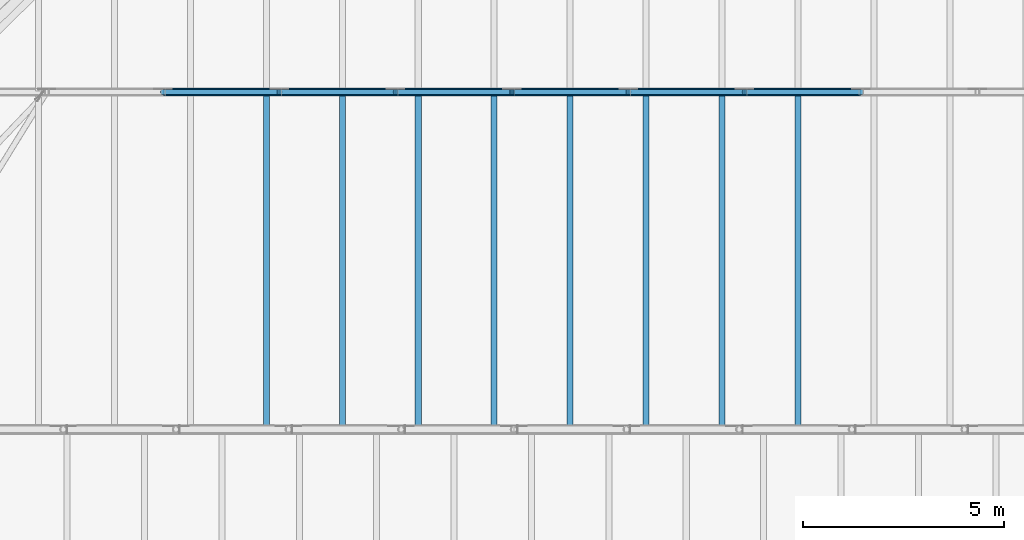
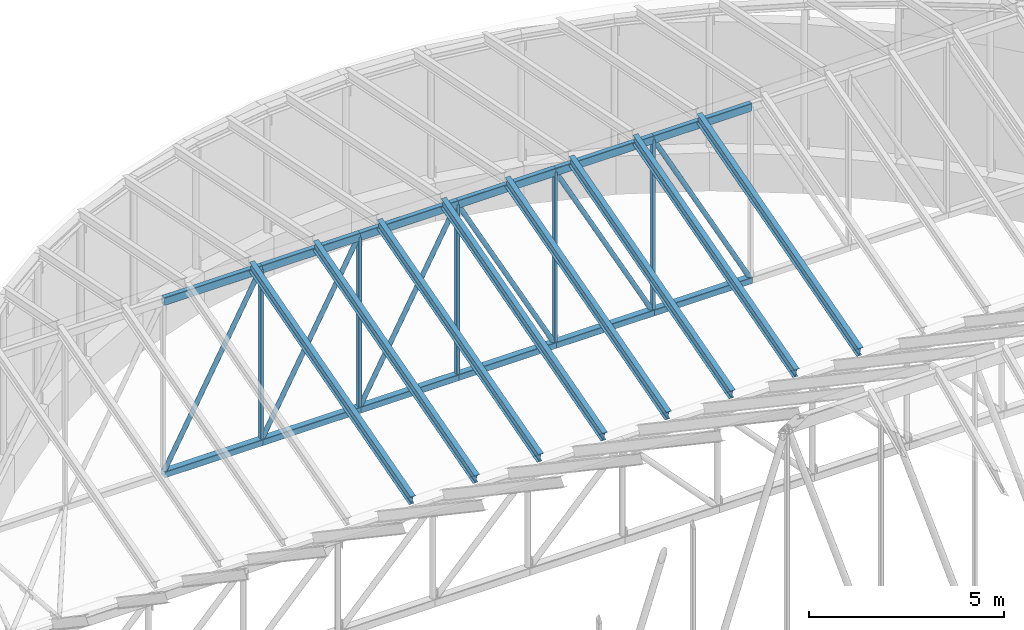
# One storey, part 31 of 68: 19 members, 12 beams.
"""IFC4 building model written with IfcOpenShell, lengths in metres."""

from ifc_helpers import new_model, si_unit, direction, frame, origin, origin_2d, place, context, subcontext, project, spatial, hollow_rectangle, hollow_circle, i_section, extrude, material, material_profile, profile_set, type_object, element, save


model = new_model("IFC4")

# Units and contexts
model_context = context("Model", 3, precision=1e-05, world=origin(), true_north=direction((0.0, 1.0)))
body_context = subcontext(model_context, "Body", "Model", "MODEL_VIEW")
ifc_project = project(units=[si_unit("LENGTHUNIT", "METRE"), si_unit("AREAUNIT", "SQUARE_METRE"), si_unit("VOLUMEUNIT", "CUBIC_METRE"), si_unit("PLANEANGLEUNIT", "RADIAN"), si_unit("MASSUNIT", "GRAM", prefix="KILO")], contexts=[model_context])

# Site, building, storey
site_placement = place(None, origin())
site = spatial("IfcSite", under=ifc_project, at=site_placement, CompositionType="ELEMENT")
building_placement = place(site_placement, origin())
building = spatial("IfcBuilding", under=site, at=building_placement, Name="Larchfold Concert Hall", CompositionType="ELEMENT")
storey_placement = place(building_placement, frame((0.0, 0.0, 28.800048828125)))
storey = spatial("IfcBuildingStorey", under=building, at=storey_placement, Name="L06", CompositionType="ELEMENT", Elevation=28.800048828125)

# Members
ifc_material_1 = material(Name="Steel S355", Category="steel")
ifc_material_profile_1 = material_profile(ifc_material_1, i_section(OverallWidth=0.14990234375, OverallDepth=0.300048828125, WebThickness=0.007080078125, FlangeThickness=0.0107421875, FilletRadius=0.014892578125, at=origin_2d()))
ifc_profile_set_1 = profile_set([ifc_material_profile_1], Name="Steel S355")
member_type_1 = type_object("IfcMemberType", Name="Rafter IPE 300", PredefinedType="RAFTER", material=ifc_profile_set_1)
for number, where, z_axis, x_axis, name in (
    (1, (35.03759765625, 102.080078125, 3.30224609375), (0.0, 0.962273331526, 0.272084610799), (-1.0, 0.0, 0.0), "Member RF0116"),
    (2, (36.92822265625, 102.080078125, 3.30224609375), (0.0, 0.962273331526, 0.272084610799), (-1.0, 0.0, 0.0), "Member RF0117"),
    (3, (38.81884765625, 102.080078125, 3.30224609375), (0.0, 0.962273331526, 0.272084610799), (-1.0, 0.0, 0.0), "Member RF0118"),
    (4, (40.70947265625, 102.080078125, 3.30224609375), (0.0, 0.962273331526, 0.272084610799), (-1.0, 0.0, 0.0), "Member RF0119"),
    (5, (42.60009765625, 102.080078125, 3.30224609375), (0.0, 0.962273331526, 0.272084610799), (-1.0, 0.0, 0.0), "Member RF0120"),
    (6, (44.49072265625, 102.080078125, 3.30224609375), (0.0, 0.962273331526, 0.272084610799), (-1.0, 0.0, 0.0), "Member RF0121"),
    (7, (46.38134765625, 102.080078125, 3.30224609375), (0.0, 0.962273331526, 0.272084610799), (-1.0, 0.0, 0.0), "Member RF0122"),
    (8, (48.27197265625, 102.080078125, 3.30224609375), (0.0, 0.962273331526, 0.272084610799), (-1.0, 0.0, 0.0), "Member RF0123"),
):
    element("IfcMember", number, at=place(storey_placement, frame(where, z_axis=z_axis, x_axis=x_axis)), inside=storey, type_object=member_type_1, Name=name, PredefinedType="RAFTER", context=body_context, shape_type="SweptSolid", body=[
        extrude(i_section(OverallWidth=0.14990234375, OverallDepth=0.300048828125, WebThickness=0.007080078125, FlangeThickness=0.0107421875, FilletRadius=0.014892578125, at=origin_2d()), origin(), (0.0, 0.0, 1.0), 8.5888671875),
    ])

# Beams
ifc_material_2 = material(Name="Steel S355J2H", Category="steel")
ifc_material_profile_2 = material_profile(ifc_material_2, hollow_rectangle(XDim=0.14990234375, YDim=0.25, WallThickness=0.010009765625, InnerFilletRadius=0.010009765625, OuterFilletRadius=0.02001953125, at=origin_2d()))
ifc_profile_set_2 = profile_set([ifc_material_profile_2], Name="Steel S355J2H")
beam_type_1 = type_object("IfcBeamType", Name="Truss chord RHS 250x150x10", PredefinedType="BEAM", material=ifc_profile_set_2)
for number, where, z_axis, x_axis, name in (
    (9, (32.466064453125, 110.39990234375, 5.39990234375), (1.0, 0.0, 0.0), (0.0, 1.0, 0.0), "Beam FT7T03"),
    (10, (35.361572265625, 110.39990234375, 5.39990234375), (1.0, 0.0, 0.0), (0.0, 1.0, 0.0), "Beam FT7T04"),
):
    element("IfcBeam", number, at=place(storey_placement, frame(where, z_axis=z_axis, x_axis=x_axis)), inside=storey, type_object=beam_type_1, Name=name, PredefinedType="BEAM", context=body_context, shape_type="SweptSolid", body=[
        extrude(hollow_rectangle(XDim=0.14990234375, YDim=0.25, WallThickness=0.010009765625, InnerFilletRadius=0.010009765625, OuterFilletRadius=0.02001953125, at=origin_2d()), origin(), (0.0, 0.0, 1.0), 2.8955078125),
    ])
beam_1_placement = place(storey_placement, frame((38.257080078125, 110.39990234375, 5.39990234375), z_axis=(1.0, 0.0, 0.0), x_axis=(0.0, 1.0, 0.0)))
element("IfcBeam", 11, at=beam_1_placement, inside=storey, type_object=beam_type_1, Name="Beam FT7T05", PredefinedType="BEAM", context=body_context, shape_type="SweptSolid", body=[
    extrude(hollow_rectangle(XDim=0.14990234375, YDim=0.25, WallThickness=0.010009765625, InnerFilletRadius=0.010009765625, OuterFilletRadius=0.02001953125, at=origin_2d()), origin(), (0.0, 0.0, 1.0), 2.895263671875),
])
beam_2_placement = place(storey_placement, frame((41.15234375, 110.39990234375, 5.39990234375), z_axis=(1.0, 0.0, 0.0), x_axis=(0.0, 1.0, 0.0)))
element("IfcBeam", 12, at=beam_2_placement, inside=storey, type_object=beam_type_1, Name="Beam FT7T06", PredefinedType="BEAM", context=body_context, shape_type="SweptSolid", body=[
    extrude(hollow_rectangle(XDim=0.14990234375, YDim=0.25, WallThickness=0.010009765625, InnerFilletRadius=0.010009765625, OuterFilletRadius=0.02001953125, at=origin_2d()), origin(), (0.0, 0.0, 1.0), 2.8955078125),
])
beam_3_placement = place(storey_placement, frame((44.0478515625, 110.39990234375, 5.39990234375), z_axis=(1.0, 0.0, 0.0), x_axis=(0.0, 1.0, 0.0)))
element("IfcBeam", 13, at=beam_3_placement, inside=storey, type_object=beam_type_1, Name="Beam FT7T07", PredefinedType="BEAM", context=body_context, shape_type="SweptSolid", body=[
    extrude(hollow_rectangle(XDim=0.14990234375, YDim=0.25, WallThickness=0.010009765625, InnerFilletRadius=0.010009765625, OuterFilletRadius=0.02001953125, at=origin_2d()), origin(), (0.0, 0.0, 1.0), 2.895263671875),
])
beam_4_placement = place(storey_placement, frame((46.943115234375, 110.39990234375, 5.39990234375), z_axis=(1.0, 0.0, 0.0), x_axis=(0.0, 1.0, 0.0)))
element("IfcBeam", 14, at=beam_4_placement, inside=storey, type_object=beam_type_1, Name="Beam FT7T08", PredefinedType="BEAM", context=body_context, shape_type="SweptSolid", body=[
    extrude(hollow_rectangle(XDim=0.14990234375, YDim=0.25, WallThickness=0.010009765625, InnerFilletRadius=0.010009765625, OuterFilletRadius=0.02001953125, at=origin_2d()), origin(), (0.0, 0.0, 1.0), 2.8955078125),
])

# Members
ifc_material_3 = material(Name="Steel S355J2H", Category="steel")
ifc_material_profile_3 = material_profile(ifc_material_3, hollow_rectangle(XDim=0.10009765625, YDim=0.14990234375, WallThickness=0.008056640625, InnerFilletRadius=0.008056640625, OuterFilletRadius=0.01611328125, at=origin_2d()))
ifc_profile_set_3 = profile_set([ifc_material_profile_3], Name="Steel S355J2H")
member_type_2 = type_object("IfcMemberType", Name="Truss post RHS 150x100x8", PredefinedType="POST", material=ifc_profile_set_3)
for number, where, z_axis, x_axis, name in (
    (15, (35.361572265625, 110.39990234375, 5.39990234375), (0.0, 0.0, -1.0), (1.0, 0.0, 0.0), "Member FT7V04"),
    (16, (38.257080078125, 110.39990234375, 5.39990234375), (0.0, 0.0, -1.0), (1.0, 0.0, 0.0), "Member FT7V05"),
    (17, (41.15234375, 110.39990234375, 5.39990234375), (0.0, 0.0, -1.0), (1.0, 0.0, 0.0), "Member FT7V06"),
    (18, (44.0478515625, 110.39990234375, 5.39990234375), (0.0, 0.0, -1.0), (1.0, 0.0, 0.0), "Member FT7V07"),
    (19, (46.943115234375, 110.39990234375, 5.39990234375), (0.0, 0.0, -1.0), (1.0, 0.0, 0.0), "Member FT7V08"),
):
    element("IfcMember", number, at=place(storey_placement, frame(where, z_axis=z_axis, x_axis=x_axis)), inside=storey, type_object=member_type_2, Name=name, PredefinedType="POST", context=body_context, shape_type="SweptSolid", body=[
        extrude(hollow_rectangle(XDim=0.10009765625, YDim=0.14990234375, WallThickness=0.008056640625, InnerFilletRadius=0.008056640625, OuterFilletRadius=0.01611328125, at=origin_2d()), origin(), (0.0, 0.0, 1.0), 5.39990234375),
    ])

# Beams
ifc_material_4 = material(Name="Steel S355J2H", Category="steel")
ifc_material_profile_4 = material_profile(ifc_material_4, hollow_rectangle(XDim=0.199951171875, YDim=0.199951171875, WallThickness=0.010009765625, InnerFilletRadius=0.010009765625, OuterFilletRadius=0.02001953125, at=origin_2d()))
ifc_profile_set_4 = profile_set([ifc_material_profile_4], Name="Steel S355J2H")
beam_type_2 = type_object("IfcBeamType", Name="Truss tie SHS 200x200x10", PredefinedType="BEAM", material=ifc_profile_set_4)
for number, where, z_axis, x_axis, name in (
    (20, (32.466064453125, 110.39990234375, 0.0), (1.0, 0.0, 0.0), (0.0, 1.0, 0.0), "Beam FT7B03"),
    (21, (35.361572265625, 110.39990234375, 0.0), (1.0, 0.0, 0.0), (0.0, 1.0, 0.0), "Beam FT7B04"),
):
    element("IfcBeam", number, at=place(storey_placement, frame(where, z_axis=z_axis, x_axis=x_axis)), inside=storey, type_object=beam_type_2, Name=name, PredefinedType="BEAM", context=body_context, shape_type="SweptSolid", body=[
        extrude(hollow_rectangle(XDim=0.199951171875, YDim=0.199951171875, WallThickness=0.010009765625, InnerFilletRadius=0.010009765625, OuterFilletRadius=0.02001953125, at=origin_2d()), origin(), (0.0, 0.0, 1.0), 2.8955078125),
    ])
beam_5_placement = place(storey_placement, frame((38.257080078125, 110.39990234375, 0.0), z_axis=(1.0, 0.0, 0.0), x_axis=(0.0, 1.0, 0.0)))
element("IfcBeam", 22, at=beam_5_placement, inside=storey, type_object=beam_type_2, Name="Beam FT7B05", PredefinedType="BEAM", context=body_context, shape_type="SweptSolid", body=[
    extrude(hollow_rectangle(XDim=0.199951171875, YDim=0.199951171875, WallThickness=0.010009765625, InnerFilletRadius=0.010009765625, OuterFilletRadius=0.02001953125, at=origin_2d()), origin(), (0.0, 0.0, 1.0), 2.895263671875),
])
beam_6_placement = place(storey_placement, frame((41.15234375, 110.39990234375, 0.0), z_axis=(1.0, 0.0, 0.0), x_axis=(0.0, 1.0, 0.0)))
element("IfcBeam", 23, at=beam_6_placement, inside=storey, type_object=beam_type_2, Name="Beam FT7B06", PredefinedType="BEAM", context=body_context, shape_type="SweptSolid", body=[
    extrude(hollow_rectangle(XDim=0.199951171875, YDim=0.199951171875, WallThickness=0.010009765625, InnerFilletRadius=0.010009765625, OuterFilletRadius=0.02001953125, at=origin_2d()), origin(), (0.0, 0.0, 1.0), 2.8955078125),
])
beam_7_placement = place(storey_placement, frame((44.0478515625, 110.39990234375, 0.0), z_axis=(1.0, 0.0, 0.0), x_axis=(0.0, 1.0, 0.0)))
element("IfcBeam", 24, at=beam_7_placement, inside=storey, type_object=beam_type_2, Name="Beam FT7B07", PredefinedType="BEAM", context=body_context, shape_type="SweptSolid", body=[
    extrude(hollow_rectangle(XDim=0.199951171875, YDim=0.199951171875, WallThickness=0.010009765625, InnerFilletRadius=0.010009765625, OuterFilletRadius=0.02001953125, at=origin_2d()), origin(), (0.0, 0.0, 1.0), 2.895263671875),
])
beam_8_placement = place(storey_placement, frame((46.943115234375, 110.39990234375, 0.0), z_axis=(1.0, 0.0, 0.0), x_axis=(0.0, 1.0, 0.0)))
element("IfcBeam", 25, at=beam_8_placement, inside=storey, type_object=beam_type_2, Name="Beam FT7B08", PredefinedType="BEAM", context=body_context, shape_type="SweptSolid", body=[
    extrude(hollow_rectangle(XDim=0.199951171875, YDim=0.199951171875, WallThickness=0.010009765625, InnerFilletRadius=0.010009765625, OuterFilletRadius=0.02001953125, at=origin_2d()), origin(), (0.0, 0.0, 1.0), 2.8955078125),
])

# Members
ifc_material_5 = material(Name="Steel S355J2H", Category="steel")
ifc_material_profile_5 = material_profile(ifc_material_5, hollow_circle(Radius=0.06982421875, WallThickness=0.00634765625, at=origin_2d()))
ifc_profile_set_5 = profile_set([ifc_material_profile_5], Name="Steel S355J2H")
member_type_3 = type_object("IfcMemberType", Name="Truss web CHS 139.7x6.3", PredefinedType="BRACE", material=ifc_profile_set_5)
for number, where, z_axis, x_axis, name in (
    (26, (32.466064453125, 110.39990234375, 0.0), (0.472564148262, 0.0, 0.881296275822), (0.0, 1.0, 0.0), "Member FT7D03"),
    (27, (35.361572265625, 110.39990234375, 0.0), (0.472564148262, 0.0, 0.881296275822), (0.0, 1.0, 0.0), "Member FT7D04"),
    (28, (38.257080078125, 110.39990234375, 0.0), (0.472533200288, 0.0, 0.881312869885), (0.0, 1.0, 0.0), "Member FT7D05"),
    (29, (41.15234375, 110.39990234375, 5.39990234375), (0.472564148262, 0.0, -0.881296275822), (0.0, 1.0, 0.0), "Member FT7D06"),
    (30, (44.0478515625, 110.39990234375, 5.39990234375), (0.472533200288, 0.0, -0.881312869885), (0.0, 1.0, 0.0), "Member FT7D07"),
    (31, (46.943115234375, 110.39990234375, 5.39990234375), (0.472564148262, 0.0, -0.881296275822), (0.0, 1.0, 0.0), "Member FT7D08"),
):
    element("IfcMember", number, at=place(storey_placement, frame(where, z_axis=z_axis, x_axis=x_axis)), inside=storey, type_object=member_type_3, Name=name, PredefinedType="BRACE", context=body_context, shape_type="SweptSolid", body=[
        extrude(hollow_circle(Radius=0.06982421875, WallThickness=0.00634765625, at=origin_2d()), origin(), (0.0, 0.0, 1.0), 6.127197265625),
    ])

save(model, "model.ifc")
